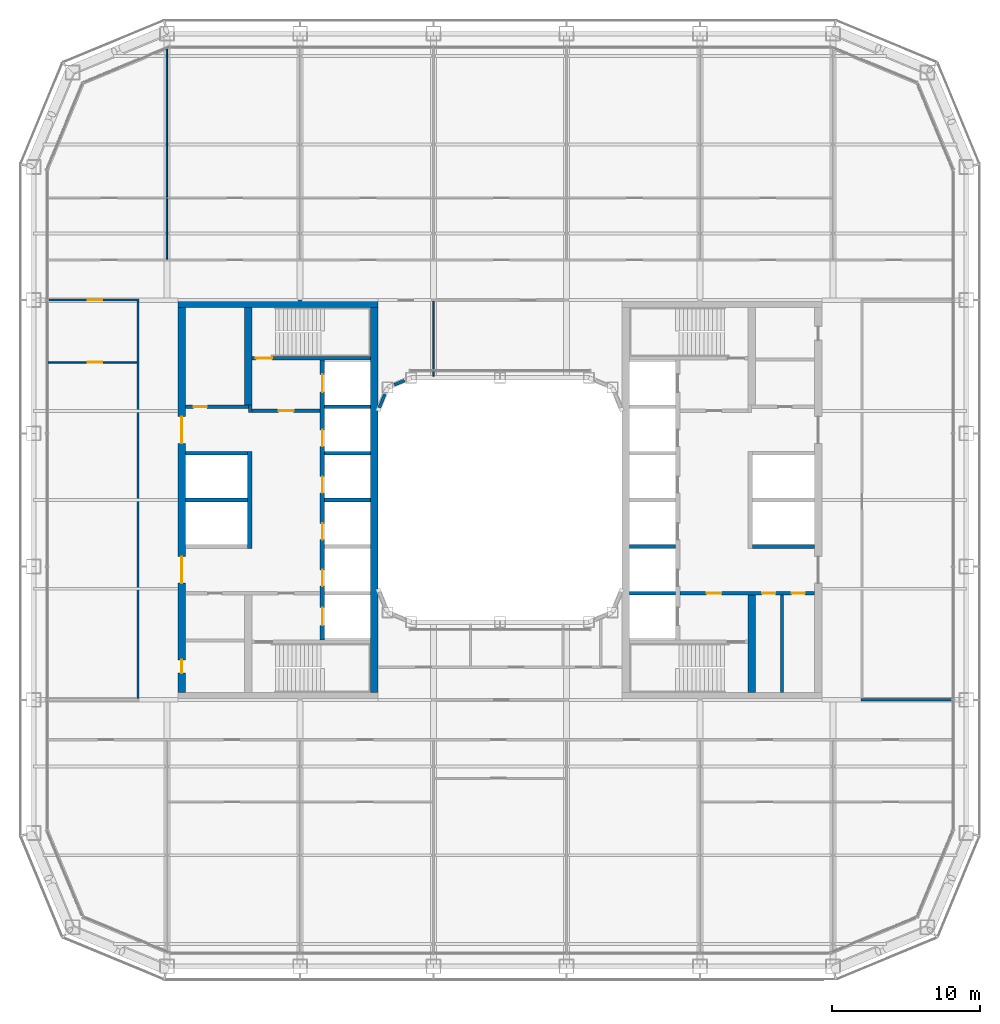
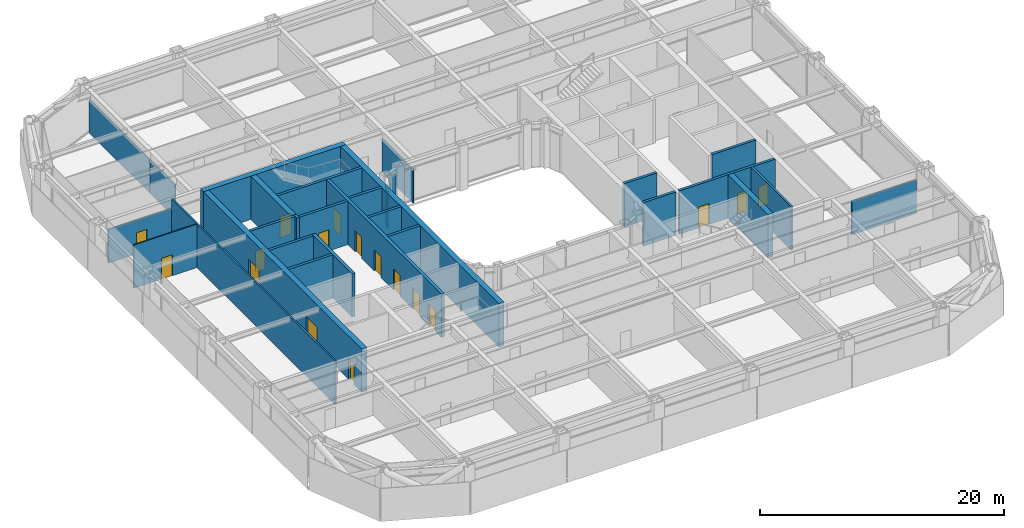
# One storey, part 13 of 24: 30 walls, 17 doors, 17 openings.
"""IFC4 building model written with IfcOpenShell, lengths in metres."""

import ifcopenshell
import ifcopenshell.guid

model = None  # the IFC model being written
_history = None  # IfcOwnerHistory: only IFC2X3 demands one
_inside = {}  # id of a spatial element -> (the spatial element, [elements in it])
_under = {}  # id of a project, library or spatial element -> (it, [spatial elements below it])
_declared = {}  # id of a project -> (the project, [libraries it declares])
_typed = {}  # id of a type object -> (the type object, [elements of that type])
_made_of = {}  # id of a material, layer set ... -> (it, [elements and type objects made of it])


def new_model(schema):
    """Start an empty IFC model of exactly this schema.

    Asked for "IFC4X3", IfcOpenShell would pick the latest addendum, in which some entities
    have other attributes; the version numbers below select the first issue.
    IFC2X3 requires an IfcOwnerHistory on every rooted entity: one is made here for all.
    """
    global model, _history
    if schema == "IFC4X3":
        model = ifcopenshell.file(schema_version=(4, 3, 0, 0))
    else:
        model = ifcopenshell.file(schema=schema)
    _inside.clear()
    _under.clear()
    _declared.clear()
    _typed.clear()
    _made_of.clear()
    _history = None
    if model.schema == "IFC2X3":
        org = make("IfcOrganization", Name="unknown")
        user = make(
            "IfcPersonAndOrganization",
            ThePerson=make("IfcPerson", FamilyName="unknown"),
            TheOrganization=org,
        )
        app = make(
            "IfcApplication",
            ApplicationDeveloper=org,
            Version="unknown",
            ApplicationFullName="unknown",
            ApplicationIdentifier="unknown",
        )
        _history = make(
            "IfcOwnerHistory",
            OwningUser=user,
            OwningApplication=app,
            ChangeAction="ADDED",
            CreationDate=0,
        )
    return model


def make(cls, **values):
    """One entity of the class cls with the attributes given. An attribute that is None is left unset."""
    return model.create_entity(
        cls, **{name: value for name, value in values.items() if value is not None}
    )


def rooted(cls, **values):
    """An entity with a GlobalId (a new one), such as an element, a storey or a relation."""
    return make(cls, GlobalId=ifcopenshell.guid.new(), OwnerHistory=_history, **values)


def si_unit(unit_type, name, prefix=None):
    """IfcSIUnit, for example si_unit("LENGTHUNIT", "METRE", prefix="MILLI")."""
    return make("IfcSIUnit", UnitType=unit_type, Prefix=prefix, Name=name)


def assignment(units):
    """IfcUnitAssignment: the units of a project."""
    return None if units is None else make("IfcUnitAssignment", Units=units)


def point(xyz):
    """IfcCartesianPoint."""
    return None if xyz is None else make("IfcCartesianPoint", Coordinates=xyz)


def direction(xyz):
    """IfcDirection."""
    return None if xyz is None else make("IfcDirection", DirectionRatios=xyz)


def frame(location, z_axis=None, x_axis=None):
    """IfcAxis2Placement3D, a coordinate frame: its origin and axes. An axis left out is left unset."""
    return make(
        "IfcAxis2Placement3D",
        Location=point(location),
        Axis=direction(z_axis),
        RefDirection=direction(x_axis),
    )


def frame_2d(location, x_axis=None):
    """IfcAxis2Placement2D, a coordinate frame in the plane: its origin and x axis."""
    return make(
        "IfcAxis2Placement2D", Location=point(location), RefDirection=direction(x_axis)
    )


def origin():
    """The frame at (0, 0, 0) with its axes left unset."""
    return frame((0.0, 0.0, 0.0))


def place(relative_to, where):
    """IfcLocalPlacement: puts the frame where relative to a parent placement (None: the world)."""
    return make(
        "IfcLocalPlacement", PlacementRelTo=relative_to, RelativePlacement=where
    )


def context(
    kind, dimensions, precision=None, world=None, true_north=None, identifier=None
):
    """IfcGeometricRepresentationContext, for example the 3D "Model" context."""
    return make(
        "IfcGeometricRepresentationContext",
        ContextIdentifier=identifier,
        ContextType=kind,
        CoordinateSpaceDimension=dimensions,
        Precision=precision,
        WorldCoordinateSystem=world,
        TrueNorth=true_north,
    )


def subcontext(parent, identifier, kind, view, scale=None):
    """IfcGeometricRepresentationSubContext, for example "Body" below "Model"."""
    return make(
        "IfcGeometricRepresentationSubContext",
        ContextIdentifier=identifier,
        ContextType=kind,
        ParentContext=parent,
        TargetScale=scale,
        TargetView=view,
    )


def project(units=None, contexts=None):
    """IfcProject with its units and contexts."""
    return rooted(
        "IfcProject",
        Name="project",
        RepresentationContexts=contexts,
        UnitsInContext=assignment(units),
    )


def spatial(cls, under=None, at=None, **own):
    """A site, building, storey or space (cls), placed at a placement, below another one or the project."""
    s = rooted(cls, ObjectPlacement=at, **own)
    if under is not None:
        _under.setdefault(under.id(), (under, []))[1].append(s)
    return s


def profile(cls, at=None, kind="AREA", **sizes):
    """A parametric profile (cls). Its sizes go by their IFC names, for example OverallWidth=200.0."""
    return make(cls, ProfileType=kind, Position=at, **sizes)


def rectangle(**sizes):
    """IfcRectangleProfileDef."""
    return profile("IfcRectangleProfileDef", **sizes)


def extrude(swept, where, along, depth):
    """IfcExtrudedAreaSolid: the profile swept, set in the frame where, extruded along a direction by depth."""
    return make(
        "IfcExtrudedAreaSolid",
        SweptArea=swept,
        Position=where,
        ExtrudedDirection=direction(along),
        Depth=depth,
    )


def shape(context_of_items, identifier, shape_type, items):
    """IfcShapeRepresentation: the items that make up one representation, for example the "Body"."""
    return make(
        "IfcShapeRepresentation",
        ContextOfItems=context_of_items,
        RepresentationIdentifier=identifier,
        RepresentationType=shape_type,
        Items=items,
    )


def material(Name=None, Category=None):
    """IfcMaterial."""
    return make("IfcMaterial", Name=Name, Category=Category)


def layer(
    of_material, thickness, ventilated=None, Name=None, Category=None, Priority=None
):
    """IfcMaterialLayer: one layer of a wall or slab, of a material (None: an air gap)."""
    return make(
        "IfcMaterialLayer",
        Material=of_material,
        LayerThickness=thickness,
        IsVentilated=ventilated,
        Name=Name,
        Category=Category,
        Priority=Priority,
    )


def layer_set(layers, Name=None):
    """IfcMaterialLayerSet."""
    return make("IfcMaterialLayerSet", MaterialLayers=layers, LayerSetName=Name)


def made_of(thing, what):
    """Note that an element or type object is made of a material, layer set ...; save() writes the relation."""
    if what is not None:
        _made_of.setdefault(what.id(), (what, []))[1].append(thing)
    return thing


def type_object(cls, material=None, **own):
    """A type object (cls), such as IfcWallType, which elements share."""
    return made_of(rooted(cls, **own), material)


def element(
    cls,
    number,
    at=None,
    inside=None,
    cuts=None,
    type_object=None,
    material=None,
    context=None,
    identifier="Body",
    shape_type=None,
    held_by="IfcProductDefinitionShape",
    body=None,
    shapes=None,
    **own,
):
    """One element of the class cls, such as IfcWall. Its Tag is "e" and its number.

    at: its placement. inside: the storey or other place that contains it. cuts: it is an
    opening in that element (IfcRelVoidsElement). A single representation is given by context,
    identifier, shape_type and body (its items); several are given by shapes. held_by: the class
    of the entity that holds the representations. save() writes the other relations.
    """
    e = rooted(cls, Tag="e%d" % number, ObjectPlacement=at, **own)
    if body is not None:
        shapes = [shape(context, identifier, shape_type, body)]
    if shapes is not None:
        e.Representation = make(held_by, Representations=shapes)
    if inside is not None:
        _inside.setdefault(inside.id(), (inside, []))[1].append(e)
    if cuts is not None:
        rooted(
            "IfcRelVoidsElement", RelatingBuildingElement=cuts, RelatedOpeningElement=e
        )
    if type_object is not None:
        _typed.setdefault(type_object.id(), (type_object, []))[1].append(e)
    return made_of(e, material)


def fill(opening, filler):
    """IfcRelFillsElement: the door or window that sits in an opening."""
    return rooted(
        "IfcRelFillsElement",
        RelatingOpeningElement=opening,
        RelatedBuildingElement=filler,
    )


def aggregate(whole, parts):
    """IfcRelAggregates: a whole, such as a stair, and the parts it consists of."""
    return rooted("IfcRelAggregates", RelatingObject=whole, RelatedObjects=parts)


def save(model, path):
    """Write the relations noted so far, then the file.

    IfcRelAggregates (storeys below a building ...), IfcRelContainedInSpatialStructure (elements
    in a storey), IfcRelDefinesByType, IfcRelAssociatesMaterial and IfcRelDeclares: one each for
    every whole, place, type object, material and project.
    """
    for whole, parts in _under.values():
        aggregate(whole, parts)
    for where, things in _inside.values():
        rooted(
            "IfcRelContainedInSpatialStructure",
            RelatedElements=things,
            RelatingStructure=where,
        )
    for kind, things in _typed.values():
        rooted("IfcRelDefinesByType", RelatedObjects=things, RelatingType=kind)
    for what, things in _made_of.values():
        rooted("IfcRelAssociatesMaterial", RelatedObjects=things, RelatingMaterial=what)
    for by, libraries in _declared.values():
        rooted("IfcRelDeclares", RelatingContext=by, RelatedDefinitions=libraries)
    model.write(path)


model = new_model("IFC4")

# Units and contexts
model_context = context("Model", 3, precision=1e-05, world=origin(), true_north=direction((0.0, 1.0)))
body_context = subcontext(model_context, "Body", "Model", "MODEL_VIEW")
ifc_project = project(units=[si_unit("LENGTHUNIT", "METRE"), si_unit("AREAUNIT", "SQUARE_METRE"), si_unit("VOLUMEUNIT", "CUBIC_METRE"), si_unit("PLANEANGLEUNIT", "RADIAN"), si_unit("MASSUNIT", "GRAM", prefix="KILO")], contexts=[model_context])

# Site, building, storey
site_placement = place(None, origin())
site = spatial("IfcSite", under=ifc_project, at=site_placement, CompositionType="ELEMENT")
building_placement = place(site_placement, origin())
building = spatial("IfcBuilding", under=site, at=building_placement, Name="Siwar Civic Tower", CompositionType="ELEMENT")
storey_placement = place(building_placement, frame((0.0, 0.0, 76.199951171875)))
storey = spatial("IfcBuildingStorey", under=building, at=storey_placement, Name="L16", CompositionType="ELEMENT", Elevation=76.199951171875)

# Wall
ifc_material_1 = material(Name="Gypsum board on steel studs", Category="steel")
ifc_layer_1 = layer(ifc_material_1, 0.199951171875)
ifc_layer_set_1 = layer_set([ifc_layer_1], Name="Gypsum board on steel studs")
wall_type_1 = type_object("IfcWallType", Name="CORE-PARTITION-200", PredefinedType="PARTITIONING", material=ifc_layer_set_1)
wall_1_placement = place(storey_placement, frame((19.050048828125, -13.0, 0.0), z_axis=(0.0, 0.0, 1.0), x_axis=(0.0, 1.0, 0.0)))
element("IfcWall", 1, at=wall_1_placement, inside=storey, type_object=wall_type_1, Name="Core partition E", PredefinedType="PARTITIONING", context=body_context, shape_type="SweptSolid", body=[
    extrude(rectangle(XDim=6.574951171875, YDim=0.199951171875, at=frame_2d((3.28759765625, 0.0))), origin(), (0.0, 0.0, 1.0), 4.35009765625),
])

# Wall, opening, door
ifc_material_2 = material(Name="Concrete C60/75", Category="concrete")
ifc_layer_2 = layer(ifc_material_2, 0.25)
ifc_layer_set_2 = layer_set([ifc_layer_2], Name="Concrete C60/75")
wall_type_2 = type_object("IfcWallType", Name="CORE-WALL-RC250", PredefinedType="SHEAR", material=ifc_layer_set_2)
wall_2_placement = place(storey_placement, frame((-12.14990234375, 6.02490234375, 0.0), z_axis=(0.0, 0.0, 1.0), x_axis=(-1.0, 0.0, 0.0)))
wall_2 = element("IfcWall", 2, at=wall_2_placement, inside=storey, type_object=wall_type_2, Name="Core wall W", PredefinedType="SHEAR", context=body_context, shape_type="SweptSolid", body=[
    extrude(rectangle(XDim=4.60009765625, YDim=0.25, at=frame_2d((2.300048828125, 0.0))), origin(), (0.0, 0.0, 1.0), 4.35009765625),
])
opening_1_placement = place(wall_2_placement, frame((1.800048828125, 0.0, 0.0)))
opening_1 = element("IfcOpeningElement", 3, at=opening_1_placement, cuts=wall_2, Name="Opening L16-CW01", PredefinedType="OPENING", context=body_context, shape_type="SweptSolid", body=[
    extrude(rectangle(XDim=1.0, YDim=2.10009765625, at=frame_2d((0.5, 1.050048828125))), frame((0.0, 0.135009765625, 0.0), z_axis=(0.0, -1.0, 0.0), x_axis=(1.0, 0.0, 0.0)), (0.0, 0.0, 1.0), 0.27001953125),
])
ifc_material_3 = material(Name="Steel door leaf", Category="steel")
door_type_1 = type_object("IfcDoorType", Name="CORE-DOOR-FD30S", OperationType="SINGLE_SWING_LEFT", PredefinedType="DOOR", material=ifc_material_3)
door_1_placement = place(opening_1_placement, origin())
door_1 = element("IfcDoor", 4, at=door_1_placement, inside=storey, type_object=door_type_1, Name="Firefighting lobby door L16-CW01", OperationType="SINGLE_SWING_LEFT", OverallHeight=2.10009765625, OverallWidth=1.0, PredefinedType="DOOR", context=body_context, shape_type="SweptSolid", body=[
    extrude(rectangle(XDim=1.0, YDim=2.10009765625, at=frame_2d((0.5, 1.050048828125))), frame((0.0, 0.02490234375, 0.0), z_axis=(0.0, -1.0, 0.0), x_axis=(1.0, 0.0, 0.0)), (0.0, 0.0, 1.0), 0.050048828125),
])
fill(opening_1, door_1)

# Wall
wall_3_placement = place(storey_placement, frame((-16.875, 5.89990234375, 0.0), z_axis=(0.0, 0.0, 1.0), x_axis=(0.0, 1.0, 0.0)))
element("IfcWall", 5, at=wall_3_placement, inside=storey, type_object=wall_type_2, Name="Core wall W", PredefinedType="SHEAR", context=body_context, shape_type="SweptSolid", body=[
    extrude(rectangle(XDim=0.525146484375, YDim=0.25, at=frame_2d((0.2626953125, 0.0))), origin(), (0.0, 0.0, 1.0), 4.35009765625),
])

# Wall, opening, door
wall_4_placement = place(storey_placement, frame((-17.0, 6.300048828125, 0.0), z_axis=(0.0, 0.0, 1.0), x_axis=(-1.0, 0.0, 0.0)))
wall_4 = element("IfcWall", 6, at=wall_4_placement, inside=storey, type_object=wall_type_2, Name="Core wall W", PredefinedType="SHEAR", context=body_context, shape_type="SweptSolid", body=[
    extrude(rectangle(XDim=4.25, YDim=0.25, at=frame_2d((2.125, 0.0))), origin(), (0.0, 0.0, 1.0), 4.35009765625),
])
opening_2_placement = place(wall_4_placement, frame((2.800048828125, 0.0, 0.0)))
opening_2 = element("IfcOpeningElement", 7, at=opening_2_placement, cuts=wall_4, Name="Opening L16-CW13", PredefinedType="OPENING", context=body_context, shape_type="SweptSolid", body=[
    extrude(rectangle(XDim=0.89990234375, YDim=2.10009765625, at=frame_2d((0.449951171875, 1.050048828125))), frame((0.0, 0.135009765625, 0.0), z_axis=(0.0, -1.0, 0.0), x_axis=(1.0, 0.0, 0.0)), (0.0, 0.0, 1.0), 0.27001953125),
])
ifc_material_4 = material(Name="Steel door leaf", Category="steel")
door_type_2 = type_object("IfcDoorType", Name="CORE-DOOR-ROOM", OperationType="SINGLE_SWING_LEFT", PredefinedType="DOOR", material=ifc_material_4)
door_2_placement = place(opening_2_placement, origin())
door_2 = element("IfcDoor", 8, at=door_2_placement, inside=storey, type_object=door_type_2, Name="Core room door L16-CW13", OperationType="SINGLE_SWING_RIGHT", OverallHeight=2.10009765625, OverallWidth=0.89990234375, PredefinedType="DOOR", context=body_context, shape_type="SweptSolid", body=[
    extrude(rectangle(XDim=0.89990234375, YDim=2.10009765625, at=frame_2d((0.449951171875, 1.050048828125))), frame((0.0, 0.02490234375, 0.0), z_axis=(0.0, -1.0, 0.0), x_axis=(1.0, 0.0, 0.0)), (0.0, 0.0, 1.0), 0.050048828125),
])
fill(opening_2, door_2)

# Walls
for number, where, z_axis, x_axis, name in (
    (9, (-17.050048828125, 0.0, 0.0), (0.0, 0.0, 1.0), (-1.0, 0.0, 0.0), "Core wall W"),
    (10, (-17.050048828125, 3.14990234375, 0.0), (0.0, 0.0, 1.0), (-1.0, 0.0, 0.0), "Core wall W"),
):
    element("IfcWall", number, at=place(storey_placement, frame(where, z_axis=z_axis, x_axis=x_axis)), inside=storey, type_object=wall_type_2, Name=name, PredefinedType="SHEAR", context=body_context, shape_type="SweptSolid", body=[
        extrude(rectangle(XDim=4.199951171875, YDim=0.25, at=frame_2d((2.10009765625, 0.0))), origin(), (0.0, 0.0, 1.0), 4.35009765625),
    ])
for number, where, z_axis, x_axis, name in (
    (11, (-8.75, 0.0, 0.0), (0.0, 0.0, 1.0), (-1.0, 0.0, 0.0), "Core wall W"),
    (12, (-8.75, 3.14990234375, 0.0), (0.0, 0.0, 1.0), (-1.0, 0.0, 0.0), "Core wall W"),
    (13, (-8.75, 6.300048828125, 0.0), (0.0, 0.0, 1.0), (-1.0, 0.0, 0.0), "Core wall W"),
):
    element("IfcWall", number, at=place(storey_placement, frame(where, z_axis=z_axis, x_axis=x_axis)), inside=storey, type_object=wall_type_2, Name=name, PredefinedType="SHEAR", context=body_context, shape_type="SweptSolid", body=[
        extrude(rectangle(XDim=3.10009765625, YDim=0.25, at=frame_2d((1.550048828125, 0.0))), origin(), (0.0, 0.0, 1.0), 4.35009765625),
    ])

# Wall, opening, door
wall_5_placement = place(storey_placement, frame((-8.75, 9.574951171875, 0.0), z_axis=(0.0, 0.0, 1.0), x_axis=(-1.0, 0.0, 0.0)))
wall_5 = element("IfcWall", 14, at=wall_5_placement, inside=storey, type_object=wall_type_2, Name="Core wall W", PredefinedType="SHEAR", context=body_context, shape_type="SweptSolid", body=[
    extrude(rectangle(XDim=8.0, YDim=0.25, at=frame_2d((4.0, 0.0))), origin(), (0.0, 0.0, 1.0), 4.35009765625),
])
opening_3_placement = place(wall_5_placement, frame((6.64990234375, 0.0, 0.0)))
opening_3 = element("IfcOpeningElement", 15, at=opening_3_placement, cuts=wall_5, Name="Opening L16-CW03", PredefinedType="OPENING", context=body_context, shape_type="SweptSolid", body=[
    extrude(rectangle(XDim=1.10009765625, YDim=2.10009765625, at=frame_2d((0.550048828125, 1.050048828125))), frame((0.0, 0.135009765625, 0.0), z_axis=(0.0, -1.0, 0.0), x_axis=(1.0, 0.0, 0.0)), (0.0, 0.0, 1.0), 0.27001953125),
])
ifc_material_5 = material(Name="Steel door leaf", Category="steel")
door_type_3 = type_object("IfcDoorType", Name="CORE-DOOR-FD60S", OperationType="SINGLE_SWING_LEFT", PredefinedType="DOOR", material=ifc_material_5)
door_3_placement = place(opening_3_placement, origin())
door_3 = element("IfcDoor", 16, at=door_3_placement, inside=storey, type_object=door_type_3, Name="Stair door L16-CW03", OperationType="SINGLE_SWING_RIGHT", OverallHeight=2.10009765625, OverallWidth=1.10009765625, PredefinedType="DOOR", context=body_context, shape_type="SweptSolid", body=[
    extrude(rectangle(XDim=1.10009765625, YDim=2.10009765625, at=frame_2d((0.550048828125, 1.050048828125))), frame((0.0, 0.02490234375, 0.0), z_axis=(0.0, -1.0, 0.0), x_axis=(1.0, 0.0, 0.0)), (0.0, 0.0, 1.0), 0.050048828125),
])
fill(opening_3, door_3)

# Wall, openings, doors
wall_6_placement = place(storey_placement, frame((12.14990234375, -6.300048828125, 0.0), z_axis=(0.0, 0.0, 1.0), x_axis=(1.0, 0.0, 0.0)))
wall_6 = element("IfcWall", 17, at=wall_6_placement, inside=storey, type_object=wall_type_2, Name="Core wall E", PredefinedType="SHEAR", context=body_context, shape_type="SweptSolid", body=[
    extrude(rectangle(XDim=9.10009765625, YDim=0.25, at=frame_2d((4.550048828125, 0.0))), origin(), (0.0, 0.0, 1.0), 4.35009765625),
])
opening_4_placement = place(wall_6_placement, frame((1.800048828125, 0.0, 0.0)))
opening_4 = element("IfcOpeningElement", 18, at=opening_4_placement, cuts=wall_6, Name="Opening L16-CE02", PredefinedType="OPENING", context=body_context, shape_type="SweptSolid", body=[
    extrude(rectangle(XDim=1.0, YDim=2.10009765625, at=frame_2d((0.5, 1.050048828125))), frame((0.0, 0.135009765625, 0.0), z_axis=(0.0, -1.0, 0.0), x_axis=(1.0, 0.0, 0.0)), (0.0, 0.0, 1.0), 0.27001953125),
])
opening_5_placement = place(wall_6_placement, frame((5.550048828125, 0.0, 0.0)))
opening_5 = element("IfcOpeningElement", 19, at=opening_5_placement, cuts=wall_6, Name="Opening L16-CE15", PredefinedType="OPENING", context=body_context, shape_type="SweptSolid", body=[
    extrude(rectangle(XDim=0.89990234375, YDim=2.10009765625, at=frame_2d((0.449951171875, 1.050048828125))), frame((0.0, 0.135009765625, 0.0), z_axis=(0.0, -1.0, 0.0), x_axis=(1.0, 0.0, 0.0)), (0.0, 0.0, 1.0), 0.27001953125),
])
opening_6_placement = place(wall_6_placement, frame((7.550048828125, 0.0, 0.0)))
opening_6 = element("IfcOpeningElement", 20, at=opening_6_placement, cuts=wall_6, Name="Opening L16-CE16", PredefinedType="OPENING", context=body_context, shape_type="SweptSolid", body=[
    extrude(rectangle(XDim=0.89990234375, YDim=2.10009765625, at=frame_2d((0.449951171875, 1.050048828125))), frame((0.0, 0.135009765625, 0.0), z_axis=(0.0, -1.0, 0.0), x_axis=(1.0, 0.0, 0.0)), (0.0, 0.0, 1.0), 0.27001953125),
])
door_4_placement = place(opening_4_placement, origin())
door_4 = element("IfcDoor", 21, at=door_4_placement, inside=storey, type_object=door_type_1, Name="Service lobby door L16-CE02", OperationType="SINGLE_SWING_LEFT", OverallHeight=2.10009765625, OverallWidth=1.0, PredefinedType="DOOR", context=body_context, shape_type="SweptSolid", body=[
    extrude(rectangle(XDim=1.0, YDim=2.10009765625, at=frame_2d((0.5, 1.050048828125))), frame((0.0, 0.02490234375, 0.0), z_axis=(0.0, -1.0, 0.0), x_axis=(1.0, 0.0, 0.0)), (0.0, 0.0, 1.0), 0.050048828125),
])
fill(opening_4, door_4)
door_5_placement = place(opening_5_placement, origin())
door_5 = element("IfcDoor", 22, at=door_5_placement, inside=storey, type_object=door_type_2, Name="Core room door L16-CE15", OperationType="SINGLE_SWING_RIGHT", OverallHeight=2.10009765625, OverallWidth=0.89990234375, PredefinedType="DOOR", context=body_context, shape_type="SweptSolid", body=[
    extrude(rectangle(XDim=0.89990234375, YDim=2.10009765625, at=frame_2d((0.449951171875, 1.050048828125))), frame((0.0, 0.02490234375, 0.0), z_axis=(0.0, -1.0, 0.0), x_axis=(1.0, 0.0, 0.0)), (0.0, 0.0, 1.0), 0.050048828125),
])
fill(opening_5, door_5)
door_6_placement = place(opening_6_placement, origin())
door_6 = element("IfcDoor", 23, at=door_6_placement, inside=storey, type_object=door_type_2, Name="Core room door L16-CE16", OperationType="SINGLE_SWING_LEFT", OverallHeight=2.10009765625, OverallWidth=0.89990234375, PredefinedType="DOOR", context=body_context, shape_type="SweptSolid", body=[
    extrude(rectangle(XDim=0.89990234375, YDim=2.10009765625, at=frame_2d((0.449951171875, 1.050048828125))), frame((0.0, 0.02490234375, 0.0), z_axis=(0.0, -1.0, 0.0), x_axis=(1.0, 0.0, 0.0)), (0.0, 0.0, 1.0), 0.050048828125),
])
fill(opening_6, door_6)

# Walls
wall_7_placement = place(storey_placement, frame((17.050048828125, -3.14990234375, 0.0), z_axis=(0.0, 0.0, 1.0), x_axis=(1.0, 0.0, 0.0)))
element("IfcWall", 24, at=wall_7_placement, inside=storey, type_object=wall_type_2, Name="Core wall E", PredefinedType="SHEAR", context=body_context, shape_type="SweptSolid", body=[
    extrude(rectangle(XDim=4.199951171875, YDim=0.25, at=frame_2d((2.10009765625, 0.0))), origin(), (0.0, 0.0, 1.0), 4.35009765625),
])
for number, where, z_axis, x_axis, name in (
    (25, (8.75, -3.14990234375, 0.0), (0.0, 0.0, 1.0), (1.0, 0.0, 0.0), "Core wall E"),
    (26, (8.75, -6.300048828125, 0.0), (0.0, 0.0, 1.0), (1.0, 0.0, 0.0), "Core wall E"),
):
    element("IfcWall", number, at=place(storey_placement, frame(where, z_axis=z_axis, x_axis=x_axis)), inside=storey, type_object=wall_type_2, Name=name, PredefinedType="SHEAR", context=body_context, shape_type="SweptSolid", body=[
        extrude(rectangle(XDim=3.10009765625, YDim=0.25, at=frame_2d((1.550048828125, 0.0))), origin(), (0.0, 0.0, 1.0), 4.35009765625),
    ])

# Wall, openings, doors
ifc_material_6 = material(Name="Concrete C60/75", Category="concrete")
ifc_layer_3 = layer(ifc_material_6, 0.300048828125)
ifc_layer_set_3 = layer_set([ifc_layer_3], Name="Concrete C60/75")
wall_type_3 = type_object("IfcWallType", Name="CORE-WALL-RC300", PredefinedType="SHEAR", material=ifc_layer_set_3)
wall_8_placement = place(storey_placement, frame((-12.0, -9.449951171875, 0.0), z_axis=(0.0, 0.0, 1.0), x_axis=(0.0, 1.0, 0.0)))
wall_8 = element("IfcWall", 27, at=wall_8_placement, inside=storey, type_object=wall_type_3, Name="Core wall W", PredefinedType="SHEAR", context=body_context, shape_type="SweptSolid", body=[
    extrude(rectangle(XDim=18.89990234375, YDim=0.300048828125, at=frame_2d((9.449951171875, 0.0))), origin(), (0.0, 0.0, 1.0), 4.35009765625),
])
opening_7_placement = place(wall_8_placement, frame((3.625, 0.0, 0.0)))
opening_7 = element("IfcOpeningElement", 28, at=opening_7_placement, cuts=wall_8, Name="Opening L16-CW07", PredefinedType="OPENING", context=body_context, shape_type="SweptSolid", body=[
    extrude(rectangle(XDim=1.10009765625, YDim=2.10009765625, at=frame_2d((0.550048828125, 1.050048828125))), frame((0.0, 0.16015625, 0.0), z_axis=(0.0, -1.0, 0.0), x_axis=(1.0, 0.0, 0.0)), (0.0, 0.0, 1.0), 0.320068359375),
])
opening_8_placement = place(wall_8_placement, frame((6.77490234375, 0.0, 0.0)))
opening_8 = element("IfcOpeningElement", 29, at=opening_8_placement, cuts=wall_8, Name="Opening L16-CW08", PredefinedType="OPENING", context=body_context, shape_type="SweptSolid", body=[
    extrude(rectangle(XDim=1.10009765625, YDim=2.10009765625, at=frame_2d((0.550048828125, 1.050048828125))), frame((0.0, 0.16015625, 0.0), z_axis=(0.0, -1.0, 0.0), x_axis=(1.0, 0.0, 0.0)), (0.0, 0.0, 1.0), 0.320068359375),
])
opening_9_placement = place(wall_8_placement, frame((9.925048828125, 0.0, 0.0)))
opening_9 = element("IfcOpeningElement", 30, at=opening_9_placement, cuts=wall_8, Name="Opening L16-CW09", PredefinedType="OPENING", context=body_context, shape_type="SweptSolid", body=[
    extrude(rectangle(XDim=1.10009765625, YDim=2.10009765625, at=frame_2d((0.550048828125, 1.050048828125))), frame((0.0, 0.16015625, 0.0), z_axis=(0.0, -1.0, 0.0), x_axis=(1.0, 0.0, 0.0)), (0.0, 0.0, 1.0), 0.320068359375),
])
opening_10_placement = place(wall_8_placement, frame((13.074951171875, 0.0, 0.0)))
opening_10 = element("IfcOpeningElement", 31, at=opening_10_placement, cuts=wall_8, Name="Opening L16-CW10", PredefinedType="OPENING", context=body_context, shape_type="SweptSolid", body=[
    extrude(rectangle(XDim=1.10009765625, YDim=2.10009765625, at=frame_2d((0.550048828125, 1.050048828125))), frame((0.0, 0.16015625, 0.0), z_axis=(0.0, -1.0, 0.0), x_axis=(1.0, 0.0, 0.0)), (0.0, 0.0, 1.0), 0.320068359375),
])
opening_11_placement = place(wall_8_placement, frame((16.72509765625, 0.0, 0.0)))
opening_11 = element("IfcOpeningElement", 32, at=opening_11_placement, cuts=wall_8, Name="Opening L16-CW11", PredefinedType="OPENING", context=body_context, shape_type="SweptSolid", body=[
    extrude(rectangle(XDim=1.199951171875, YDim=2.10009765625, at=frame_2d((0.60009765625, 1.050048828125))), frame((0.0, 0.16015625, 0.0), z_axis=(0.0, -1.0, 0.0), x_axis=(1.0, 0.0, 0.0)), (0.0, 0.0, 1.0), 0.320068359375),
])
opening_12_placement = place(wall_8_placement, frame((0.97509765625, 0.0, 0.0)))
opening_12 = element("IfcOpeningElement", 33, at=opening_12_placement, cuts=wall_8, Name="Opening L16-CW12", PredefinedType="OPENING", context=body_context, shape_type="SweptSolid", body=[
    extrude(rectangle(XDim=1.199951171875, YDim=2.10009765625, at=frame_2d((0.60009765625, 1.050048828125))), frame((0.0, 0.16015625, 0.0), z_axis=(0.0, -1.0, 0.0), x_axis=(1.0, 0.0, 0.0)), (0.0, 0.0, 1.0), 0.320068359375),
])
ifc_material_7 = material(Name="Steel door leaf", Category="steel")
door_type_4 = type_object("IfcDoorType", Name="CORE-DOOR-LD", OperationType="DOUBLE_DOOR_SLIDING", PredefinedType="DOOR", material=ifc_material_7)
door_7_placement = place(opening_7_placement, origin())
door_7 = element("IfcDoor", 34, at=door_7_placement, inside=storey, type_object=door_type_4, Name="Landing door LR1 L16-CW07", OperationType="DOUBLE_DOOR_SLIDING", OverallHeight=2.10009765625, OverallWidth=1.10009765625, PredefinedType="DOOR", context=body_context, shape_type="SweptSolid", body=[
    extrude(rectangle(XDim=1.10009765625, YDim=2.10009765625, at=frame_2d((0.550048828125, 1.050048828125))), frame((0.0, 0.02490234375, 0.0), z_axis=(0.0, -1.0, 0.0), x_axis=(1.0, 0.0, 0.0)), (0.0, 0.0, 1.0), 0.050048828125),
])
fill(opening_7, door_7)
door_8_placement = place(opening_8_placement, origin())
door_8 = element("IfcDoor", 35, at=door_8_placement, inside=storey, type_object=door_type_4, Name="Landing door LR2 L16-CW08", OperationType="DOUBLE_DOOR_SLIDING", OverallHeight=2.10009765625, OverallWidth=1.10009765625, PredefinedType="DOOR", context=body_context, shape_type="SweptSolid", body=[
    extrude(rectangle(XDim=1.10009765625, YDim=2.10009765625, at=frame_2d((0.550048828125, 1.050048828125))), frame((0.0, 0.02490234375, 0.0), z_axis=(0.0, -1.0, 0.0), x_axis=(1.0, 0.0, 0.0)), (0.0, 0.0, 1.0), 0.050048828125),
])
fill(opening_8, door_8)
door_9_placement = place(opening_9_placement, origin())
door_9 = element("IfcDoor", 36, at=door_9_placement, inside=storey, type_object=door_type_4, Name="Landing door LR3 L16-CW09", OperationType="DOUBLE_DOOR_SLIDING", OverallHeight=2.10009765625, OverallWidth=1.10009765625, PredefinedType="DOOR", context=body_context, shape_type="SweptSolid", body=[
    extrude(rectangle(XDim=1.10009765625, YDim=2.10009765625, at=frame_2d((0.550048828125, 1.050048828125))), frame((0.0, 0.02490234375, 0.0), z_axis=(0.0, -1.0, 0.0), x_axis=(1.0, 0.0, 0.0)), (0.0, 0.0, 1.0), 0.050048828125),
])
fill(opening_9, door_9)
door_10_placement = place(opening_10_placement, origin())
door_10 = element("IfcDoor", 37, at=door_10_placement, inside=storey, type_object=door_type_4, Name="Landing door LR4 L16-CW10", OperationType="DOUBLE_DOOR_SLIDING", OverallHeight=2.10009765625, OverallWidth=1.10009765625, PredefinedType="DOOR", context=body_context, shape_type="SweptSolid", body=[
    extrude(rectangle(XDim=1.10009765625, YDim=2.10009765625, at=frame_2d((0.550048828125, 1.050048828125))), frame((0.0, 0.02490234375, 0.0), z_axis=(0.0, -1.0, 0.0), x_axis=(1.0, 0.0, 0.0)), (0.0, 0.0, 1.0), 0.050048828125),
])
fill(opening_10, door_10)
ifc_material_8 = material(Name="Steel door leaf", Category="steel")
door_type_5 = type_object("IfcDoorType", Name="CORE-DOOR-LDW", OperationType="DOUBLE_DOOR_SLIDING", PredefinedType="DOOR", material=ifc_material_8)
door_11_placement = place(opening_11_placement, origin())
door_11 = element("IfcDoor", 38, at=door_11_placement, inside=storey, type_object=door_type_5, Name="Landing door FF1 L16-CW11", OperationType="DOUBLE_DOOR_SLIDING", OverallHeight=2.10009765625, OverallWidth=1.199951171875, PredefinedType="DOOR", context=body_context, shape_type="SweptSolid", body=[
    extrude(rectangle(XDim=1.199951171875, YDim=2.10009765625, at=frame_2d((0.60009765625, 1.050048828125))), frame((0.0, 0.02490234375, 0.0), z_axis=(0.0, -1.0, 0.0), x_axis=(1.0, 0.0, 0.0)), (0.0, 0.0, 1.0), 0.050048828125),
])
fill(opening_11, door_11)
door_12_placement = place(opening_12_placement, origin())
door_12 = element("IfcDoor", 39, at=door_12_placement, inside=storey, type_object=door_type_5, Name="Landing door SV1 L16-CW12", OperationType="DOUBLE_DOOR_SLIDING", OverallHeight=2.10009765625, OverallWidth=1.199951171875, PredefinedType="DOOR", context=body_context, shape_type="SweptSolid", body=[
    extrude(rectangle(XDim=1.199951171875, YDim=2.10009765625, at=frame_2d((0.60009765625, 1.050048828125))), frame((0.0, 0.02490234375, 0.0), z_axis=(0.0, -1.0, 0.0), x_axis=(1.0, 0.0, 0.0)), (0.0, 0.0, 1.0), 0.050048828125),
])
fill(opening_12, door_12)

# Wall
wall_9_placement = place(storey_placement, frame((-16.89990234375, -3.27490234375, 0.0), z_axis=(0.0, 0.0, 1.0), x_axis=(0.0, 1.0, 0.0)))
element("IfcWall", 40, at=wall_9_placement, inside=storey, type_object=wall_type_3, Name="Core wall W", PredefinedType="SHEAR", context=body_context, shape_type="SweptSolid", body=[
    extrude(rectangle(XDim=6.5498046875, YDim=0.300048828125, at=frame_2d((3.27490234375, 0.0))), origin(), (0.0, 0.0, 1.0), 4.35009765625),
])

# Wall, openings, doors
ifc_material_9 = material(Name="Concrete C60/75", Category="concrete")
ifc_layer_4 = layer(ifc_material_9, 0.5)
ifc_layer_set_4 = layer_set([ifc_layer_4], Name="Concrete C60/75")
wall_type_4 = type_object("IfcWallType", Name="CORE-WALL-RC500", PredefinedType="SHEAR", material=ifc_layer_set_4)
wall_10_placement = place(storey_placement, frame((-21.5, -13.0, 0.0), z_axis=(0.0, 0.0, 1.0), x_axis=(0.0, 1.0, 0.0)))
wall_10 = element("IfcWall", 41, at=wall_10_placement, inside=storey, type_object=wall_type_4, Name="Core wall W", PredefinedType="SHEAR", context=body_context, shape_type="SweptSolid", body=[
    extrude(rectangle(XDim=26.0, YDim=0.5, at=frame_2d((13.0, 0.0))), origin(), (0.0, 0.0, 1.0), 4.35009765625),
])
opening_13_placement = place(wall_10_placement, frame((16.824951171875, 0.0, 0.0)))
opening_13 = element("IfcOpeningElement", 42, at=opening_13_placement, cuts=wall_10, Name="Opening L16-CW05", PredefinedType="OPENING", context=body_context, shape_type="SweptSolid", body=[
    extrude(rectangle(XDim=1.800048828125, YDim=2.10009765625, at=frame_2d((0.89990234375, 1.050048828125))), frame((0.0, 0.260009765625, 0.0), z_axis=(0.0, -1.0, 0.0), x_axis=(1.0, 0.0, 0.0)), (0.0, 0.0, 1.0), 0.52001953125),
])
opening_14_placement = place(wall_10_placement, frame((7.375, 0.0, 0.0)))
opening_14 = element("IfcOpeningElement", 43, at=opening_14_placement, cuts=wall_10, Name="Opening L16-CW06", PredefinedType="OPENING", context=body_context, shape_type="SweptSolid", body=[
    extrude(rectangle(XDim=1.800048828125, YDim=2.10009765625, at=frame_2d((0.89990234375, 1.050048828125))), frame((0.0, 0.260009765625, 0.0), z_axis=(0.0, -1.0, 0.0), x_axis=(1.0, 0.0, 0.0)), (0.0, 0.0, 1.0), 0.52001953125),
])
opening_15_placement = place(wall_10_placement, frame((1.300048828125, 0.0, 0.0)))
opening_15 = element("IfcOpeningElement", 44, at=opening_15_placement, cuts=wall_10, Name="Opening L16-CW15", PredefinedType="OPENING", context=body_context, shape_type="SweptSolid", body=[
    extrude(rectangle(XDim=0.89990234375, YDim=2.10009765625, at=frame_2d((0.449951171875, 1.050048828125))), frame((0.0, 0.260009765625, 0.0), z_axis=(0.0, -1.0, 0.0), x_axis=(1.0, 0.0, 0.0)), (0.0, 0.0, 1.0), 0.52001953125),
])
ifc_material_10 = material(Name="Steel door leaf", Category="steel")
door_type_6 = type_object("IfcDoorType", Name="CORE-DOOR-PORT", OperationType="DOUBLE_DOOR_DOUBLE_SWING", PredefinedType="DOOR", material=ifc_material_10)
door_13_placement = place(opening_13_placement, origin())
door_13 = element("IfcDoor", 45, at=door_13_placement, inside=storey, type_object=door_type_6, Name="Core entrance door L16-CW05", OperationType="DOUBLE_DOOR_DOUBLE_SWING", OverallHeight=2.10009765625, OverallWidth=1.800048828125, PredefinedType="DOOR", context=body_context, shape_type="SweptSolid", body=[
    extrude(rectangle(XDim=1.800048828125, YDim=2.10009765625, at=frame_2d((0.89990234375, 1.050048828125))), frame((0.0, 0.02490234375, 0.0), z_axis=(0.0, -1.0, 0.0), x_axis=(1.0, 0.0, 0.0)), (0.0, 0.0, 1.0), 0.050048828125),
])
fill(opening_13, door_13)
door_14_placement = place(opening_14_placement, origin())
door_14 = element("IfcDoor", 46, at=door_14_placement, inside=storey, type_object=door_type_6, Name="Core entrance door L16-CW06", OperationType="DOUBLE_DOOR_DOUBLE_SWING", OverallHeight=2.10009765625, OverallWidth=1.800048828125, PredefinedType="DOOR", context=body_context, shape_type="SweptSolid", body=[
    extrude(rectangle(XDim=1.800048828125, YDim=2.10009765625, at=frame_2d((0.89990234375, 1.050048828125))), frame((0.0, 0.02490234375, 0.0), z_axis=(0.0, -1.0, 0.0), x_axis=(1.0, 0.0, 0.0)), (0.0, 0.0, 1.0), 0.050048828125),
])
fill(opening_14, door_14)
door_15_placement = place(opening_15_placement, origin())
door_15 = element("IfcDoor", 47, at=door_15_placement, inside=storey, type_object=door_type_2, Name="Core room door L16-CW15", OperationType="SINGLE_SWING_RIGHT", OverallHeight=2.10009765625, OverallWidth=0.89990234375, PredefinedType="DOOR", context=body_context, shape_type="SweptSolid", body=[
    extrude(rectangle(XDim=0.89990234375, YDim=2.10009765625, at=frame_2d((0.449951171875, 1.050048828125))), frame((0.0, 0.02490234375, 0.0), z_axis=(0.0, -1.0, 0.0), x_axis=(1.0, 0.0, 0.0)), (0.0, 0.0, 1.0), 0.050048828125),
])
fill(opening_15, door_15)

# Walls
wall_11_placement = place(storey_placement, frame((-17.0, 6.425048828125, 0.0), z_axis=(0.0, 0.0, 1.0), x_axis=(0.0, 1.0, 0.0)))
element("IfcWall", 48, at=wall_11_placement, inside=storey, type_object=wall_type_4, Name="Core wall W", PredefinedType="SHEAR", context=body_context, shape_type="SweptSolid", body=[
    extrude(rectangle(XDim=6.574951171875, YDim=0.5, at=frame_2d((3.28759765625, 0.0))), origin(), (0.0, 0.0, 1.0), 4.35009765625),
])
wall_12_placement = place(storey_placement, frame((-8.25, 13.25, 0.0), z_axis=(0.0, 0.0, 1.0), x_axis=(-1.0, 0.0, 0.0)))
element("IfcWall", 49, at=wall_12_placement, inside=storey, type_object=wall_type_4, Name="Core wall W", PredefinedType="SHEAR", context=body_context, shape_type="SweptSolid", body=[
    extrude(rectangle(XDim=13.5, YDim=0.5, at=frame_2d((6.75, 0.0))), origin(), (0.0, 0.0, 1.0), 4.35009765625),
])
wall_13_placement = place(storey_placement, frame((17.0, -13.0, 0.0), z_axis=(0.0, 0.0, 1.0), x_axis=(0.0, 1.0, 0.0)))
element("IfcWall", 50, at=wall_13_placement, inside=storey, type_object=wall_type_4, Name="Core wall E", PredefinedType="SHEAR", context=body_context, shape_type="SweptSolid", body=[
    extrude(rectangle(XDim=6.574951171875, YDim=0.5, at=frame_2d((3.28759765625, 0.0))), origin(), (0.0, 0.0, 1.0), 4.35009765625),
])
ifc_material_11 = material(Name="Concrete C60/75", Category="concrete")
ifc_layer_5 = layer(ifc_material_11, 0.5)
ifc_layer_set_5 = layer_set([ifc_layer_5], Name="Concrete C60/75")
wall_type_5 = type_object("IfcWallType", Name="CORE-WALL-RC500-EXT", PredefinedType="SHEAR", material=ifc_layer_set_5)
wall_14_placement = place(storey_placement, frame((-8.5, -13.0, 0.0), z_axis=(0.0, 0.0, 1.0), x_axis=(0.0, 1.0, 0.0)))
element("IfcWall", 51, at=wall_14_placement, inside=storey, type_object=wall_type_5, Name="Core wall W", PredefinedType="SHEAR", context=body_context, shape_type="SweptSolid", body=[
    extrude(rectangle(XDim=26.0, YDim=0.5, at=frame_2d((13.0, 0.0))), origin(), (0.0, 0.0, 1.0), 4.35009765625),
])
ifc_material_12 = material(Name="Gypsum board on steel studs", Category="steel")
ifc_layer_6 = layer(ifc_material_12, 0.14990234375)
ifc_layer_set_6 = layer_set([ifc_layer_6], Name="Gypsum board on steel studs")
wall_type_6 = type_object("IfcWallType", Name="CORRIDOR PARTITION 150 EI 30", PredefinedType="PARTITIONING", material=ifc_layer_set_6)
wall_15_placement = place(storey_placement, frame((24.375, -13.5, 0.0), z_axis=(0.0, 0.0, 1.0), x_axis=(1.0, 0.0, 0.0)))
element("IfcWall", 52, at=wall_15_placement, inside=storey, type_object=wall_type_6, Name="L16/wall/P07", PredefinedType="PARTITIONING", context=body_context, shape_type="SweptSolid", body=[
    extrude(rectangle(XDim=6.135009765625, YDim=0.14990234375, at=frame_2d((3.0673828125, 0.0))), origin(), (0.0, 0.0, 1.0), 3.35009765625),
])

# Wall, opening, door
wall_16_placement = place(storey_placement, frame((-30.510009765625, 13.5, 0.0), z_axis=(0.0, 0.0, 1.0), x_axis=(1.0, 0.0, 0.0)))
wall_16 = element("IfcWall", 53, at=wall_16_placement, inside=storey, type_object=wall_type_6, Name="L16/wall/P11", PredefinedType="PARTITIONING", context=body_context, shape_type="SweptSolid", body=[
    extrude(rectangle(XDim=6.135009765625, YDim=0.14990234375, at=frame_2d((3.0673828125, 0.0))), origin(), (0.0, 0.0, 1.0), 3.35009765625),
])
opening_16_placement = place(wall_16_placement, frame((2.64990234375, 0.0, 0.0)))
opening_16 = element("IfcOpeningElement", 54, at=opening_16_placement, cuts=wall_16, Name="Opening D1", PredefinedType="OPENING", context=body_context, shape_type="SweptSolid", body=[
    extrude(rectangle(XDim=1.0, YDim=2.10009765625, at=frame_2d((0.5, 1.050048828125))), frame((0.0, 0.0849609375, 0.0), z_axis=(0.0, -1.0, 0.0), x_axis=(1.0, 0.0, 0.0)), (0.0, 0.0, 1.0), 0.169921875),
])
ifc_material_13 = material(Name="Timber, painted", Category="wood")
door_type_7 = type_object("IfcDoorType", Name="DOOR 1000 X 2100 FD30", OperationType="SINGLE_SWING_LEFT", PredefinedType="DOOR", material=ifc_material_13)
door_16_placement = place(opening_16_placement, origin())
door_16 = element("IfcDoor", 55, at=door_16_placement, inside=storey, type_object=door_type_7, Name="L16-D26", OperationType="SINGLE_SWING_RIGHT", OverallHeight=2.10009765625, OverallWidth=1.0, PredefinedType="DOOR", context=body_context, shape_type="SweptSolid", body=[
    extrude(rectangle(XDim=1.0, YDim=2.10009765625, at=frame_2d((0.5, 1.050048828125))), frame((0.0, 0.02490234375, 0.0), z_axis=(0.0, -1.0, 0.0), x_axis=(1.0, 0.0, 0.0)), (0.0, 0.0, 1.0), 0.050048828125),
])
fill(opening_16, door_16)

# Walls
wall_17_placement = place(storey_placement, frame((-24.449951171875, -13.425048828125, 0.0), z_axis=(0.0, 0.0, 1.0), x_axis=(0.0, 1.0, 0.0)))
element("IfcWall", 56, at=wall_17_placement, inside=storey, type_object=wall_type_6, Name="L16/wall/P16", PredefinedType="PARTITIONING", context=body_context, shape_type="SweptSolid", body=[
    extrude(rectangle(XDim=26.85009765625, YDim=0.14990234375, at=frame_2d((13.425048828125, 0.0))), origin(), (0.0, 0.0, 1.0), 4.35009765625),
])
ifc_material_14 = material(Name="Aluminium clad insulated panel", Category="aluminium")
ifc_layer_7 = layer(ifc_material_14, 0.199951171875)
ifc_layer_set_7 = layer_set([ifc_layer_7], Name="Aluminium clad insulated panel")
wall_type_7 = type_object("IfcWallType", Name="ENV-WALL-WELL", PredefinedType="STANDARD", material=ifc_layer_set_7)
wall_18_placement = place(storey_placement, frame((-6.45263671875, 8.0625, 0.0), z_axis=(0.0, 0.0, 1.0), x_axis=(-0.923940677943, -0.382535780864, 0.0)))
element("IfcWall", 57, at=wall_18_placement, inside=storey, type_object=wall_type_7, Name="Light well corner wall NW1", PredefinedType="STANDARD", context=body_context, shape_type="SweptSolid", body=[
    extrude(rectangle(XDim=0.7421875, YDim=0.199951171875, at=frame_2d((0.37109375, 0.0))), origin(), (0.0, 0.0, 1.0), 3.72998046875),
])
wall_19_placement = place(storey_placement, frame((-7.778564453125, 7.138427734375, 0.0), z_axis=(0.0, 0.0, 1.0), x_axis=(-0.382549378284, -0.923935048136, 0.0)))
element("IfcWall", 58, at=wall_19_placement, inside=storey, type_object=wall_type_7, Name="Light well corner wall NW2", PredefinedType="STANDARD", context=body_context, shape_type="SweptSolid", body=[
    extrude(rectangle(XDim=0.982177734375, YDim=0.199951171875, at=frame_2d((0.4912109375, 0.0))), origin(), (0.0, 0.0, 1.0), 3.72998046875),
])

# Wall, opening, door
ifc_material_15 = material(Name="Gypsum board on steel studs", Category="steel")
ifc_layer_8 = layer(ifc_material_15, 0.10009765625)
ifc_layer_set_8 = layer_set([ifc_layer_8], Name="Gypsum board on steel studs")
wall_type_8 = type_object("IfcWallType", Name="PARTITION 100 GYPSUM", PredefinedType="PARTITIONING", material=ifc_layer_set_8)
wall_20_placement = place(storey_placement, frame((-30.510009765625, 9.300048828125, 0.0), z_axis=(0.0, 0.0, 1.0), x_axis=(1.0, 0.0, 0.0)))
wall_20 = element("IfcWall", 59, at=wall_20_placement, inside=storey, type_object=wall_type_8, Name="L16/wall/P10", PredefinedType="PARTITIONING", context=body_context, shape_type="SweptSolid", body=[
    extrude(rectangle(XDim=5.985107421875, YDim=0.10009765625, at=frame_2d((2.99267578125, 0.0))), origin(), (0.0, 0.0, 1.0), 4.35009765625),
])
opening_17_placement = place(wall_20_placement, frame((2.64990234375, 0.0, 0.0)))
opening_17 = element("IfcOpeningElement", 60, at=opening_17_placement, cuts=wall_20, Name="Opening D2", PredefinedType="OPENING", context=body_context, shape_type="SweptSolid", body=[
    extrude(rectangle(XDim=1.0, YDim=2.10009765625, at=frame_2d((0.5, 1.050048828125))), frame((0.0, 0.06005859375, 0.0), z_axis=(0.0, -1.0, 0.0), x_axis=(1.0, 0.0, 0.0)), (0.0, 0.0, 1.0), 0.1201171875),
])
ifc_material_16 = material(Name="Timber, painted", Category="wood")
door_type_8 = type_object("IfcDoorType", Name="DOOR 1000 X 2100", OperationType="SINGLE_SWING_LEFT", PredefinedType="DOOR", material=ifc_material_16)
door_17_placement = place(opening_17_placement, origin())
door_17 = element("IfcDoor", 61, at=door_17_placement, inside=storey, type_object=door_type_8, Name="L16-D27", OperationType="SINGLE_SWING_LEFT", OverallHeight=2.10009765625, OverallWidth=1.0, PredefinedType="DOOR", context=body_context, shape_type="SweptSolid", body=[
    extrude(rectangle(XDim=1.0, YDim=2.10009765625, at=frame_2d((0.5, 1.050048828125))), frame((0.0, 0.02490234375, 0.0), z_axis=(0.0, -1.0, 0.0), x_axis=(1.0, 0.0, 0.0)), (0.0, 0.0, 1.0), 0.050048828125),
])
fill(opening_17, door_17)

# Walls
wall_21_placement = place(storey_placement, frame((-22.5, 16.27490234375, 0.0), z_axis=(0.0, 0.0, 1.0), x_axis=(0.0, 1.0, 0.0)))
element("IfcWall", 62, at=wall_21_placement, inside=storey, type_object=wall_type_8, Name="L16/wall/P18", PredefinedType="PARTITIONING", context=body_context, shape_type="SweptSolid", body=[
    extrude(rectangle(XDim=4.0751953125, YDim=0.10009765625, at=frame_2d((2.03759765625, 0.0))), origin(), (0.0, 0.0, 1.0), 3.35009765625),
])
wall_22_placement = place(storey_placement, frame((-22.5, 20.449951171875, 0.0), z_axis=(0.0, 0.0, 1.0), x_axis=(0.0, 1.0, 0.0)))
element("IfcWall", 63, at=wall_22_placement, inside=storey, type_object=wall_type_8, Name="L16/wall/P19", PredefinedType="PARTITIONING", context=body_context, shape_type="SweptSolid", body=[
    extrude(rectangle(XDim=9.97802734375, YDim=0.10009765625, at=frame_2d((4.989013671875, 0.0))), origin(), (0.0, 0.0, 1.0), 3.35009765625),
])
wall_23_placement = place(storey_placement, frame((-4.5, 8.3701171875, 0.0), z_axis=(0.0, 0.0, 1.0), x_axis=(0.0, 1.0, 0.0)))
element("IfcWall", 64, at=wall_23_placement, inside=storey, type_object=wall_type_8, Name="L16/wall/P25", PredefinedType="PARTITIONING", context=body_context, shape_type="SweptSolid", body=[
    extrude(rectangle(XDim=5.054931640625, YDim=0.10009765625, at=frame_2d((2.52734375, 0.0))), origin(), (0.0, 0.0, 1.0), 3.35009765625),
])

save(model, "model.ifc")
